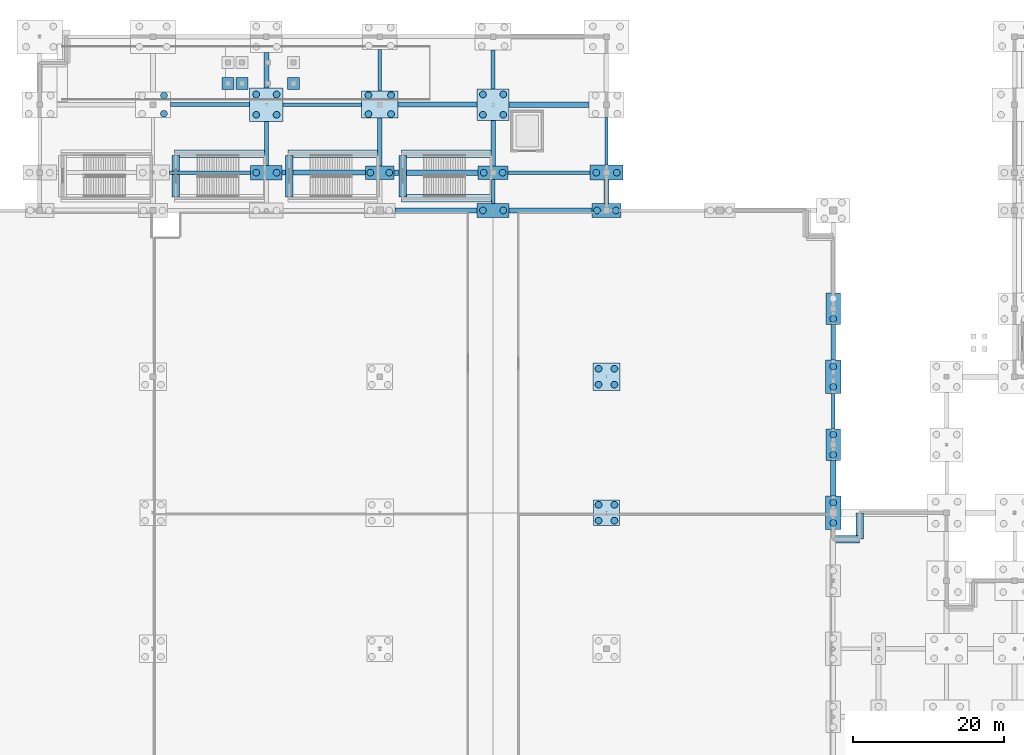
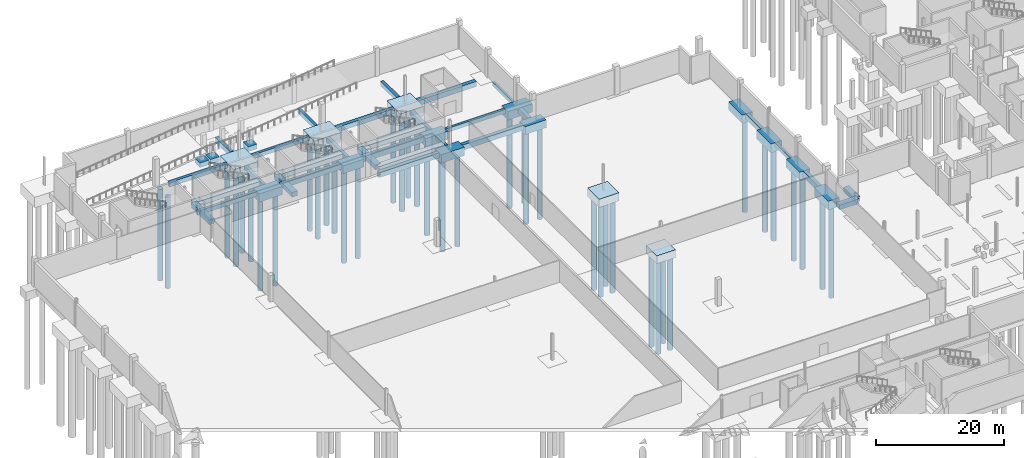
# One storey, part 4 of 58: 49 footings, 41 piles.
"""IFC4 building model written with IfcOpenShell, lengths in metres."""

from ifc_helpers import new_model, si_unit, direction, frame, origin, origin_2d, place, context, subcontext, project, spatial, rectangle, circle, extrude, material, material_profile, profile_set, type_object, element, save


model = new_model("IFC4")

# Units and contexts
model_context = context("Model", 3, precision=1e-05, world=origin(), true_north=direction((0.0, 1.0)))
body_context = subcontext(model_context, "Body", "Model", "MODEL_VIEW")
ifc_project = project(units=[si_unit("LENGTHUNIT", "METRE"), si_unit("AREAUNIT", "SQUARE_METRE"), si_unit("VOLUMEUNIT", "CUBIC_METRE"), si_unit("PLANEANGLEUNIT", "RADIAN"), si_unit("MASSUNIT", "GRAM", prefix="KILO")], contexts=[model_context])

# Site, building, storey
site_placement = place(None, origin())
site = spatial("IfcSite", under=ifc_project, at=site_placement, CompositionType="ELEMENT")
building_placement = place(site_placement, origin())
building = spatial("IfcBuilding", under=site, at=building_placement, Name="Qamarlyn Nura Convention Centre", CompositionType="ELEMENT")
storey_placement = place(building_placement, frame((0.0, 0.0, -5.39990234375)))
storey = spatial("IfcBuildingStorey", under=building, at=storey_placement, Name="B01", CompositionType="ELEMENT", Elevation=-5.39990234375)

# Footings
ifc_material = material(Name="Concrete C40/50", Category="concrete")
ifc_material_profile_1 = material_profile(ifc_material, rectangle(XDim=0.449951171875, YDim=0.75, at=origin_2d()), Name="RC GB 450x750")
ifc_profile_set_1 = profile_set([ifc_material_profile_1], Name="Concrete C40/50")
footing_type_1 = type_object("IfcFootingType", Name="GB-450X750", PredefinedType="FOOTING_BEAM", material=ifc_profile_set_1)
footing_1_placement = place(storey_placement, frame((77.0, 108.0, -0.375), z_axis=(1.0, 0.0, 0.0), x_axis=(0.0, 1.0, 0.0)))
element("IfcFooting", 1, at=footing_1_placement, inside=storey, type_object=footing_type_1, Name="Ground tie beam N 6-7", PredefinedType="FOOTING_BEAM", context=body_context, shape_type="SweptSolid", body=[
    extrude(rectangle(XDim=0.449951171875, YDim=0.75, at=origin_2d()), origin(), (0.0, 0.0, 1.0), 10.800048828125),
])
footing_2_placement = place(storey_placement, frame((75.0, 103.949951171875, -0.375), z_axis=(0.0, 1.0, 0.0), x_axis=(-1.0, 0.0, 0.0)))
element("IfcFooting", 2, at=footing_2_placement, inside=storey, type_object=footing_type_1, Name="Ground tie beam 6 M-N", PredefinedType="FOOTING_BEAM", context=body_context, shape_type="SweptSolid", body=[
    extrude(rectangle(XDim=0.449951171875, YDim=0.75, at=origin_2d()), origin(), (0.0, 0.0, 1.0), 3.150146484375),
])
footing_3_placement = place(storey_placement, frame((90.0, 109.0, -0.375), z_axis=(0.0, 1.0, 0.0), x_axis=(-1.0, 0.0, 0.0)))
element("IfcFooting", 3, at=footing_3_placement, inside=storey, type_object=footing_type_1, Name="Ground tie beam 7 N-P", PredefinedType="FOOTING_BEAM", context=body_context, shape_type="SweptSolid", body=[
    extrude(rectangle(XDim=0.449951171875, YDim=0.75, at=origin_2d()), origin(), (0.0, 0.0, 1.0), 6.300048828125),
])
footing_4_placement = place(storey_placement, frame((120.0, 74.10009765625, -0.375), z_axis=(0.0, 1.0, 0.0), x_axis=(-1.0, 0.0, 0.0)))
element("IfcFooting", 4, at=footing_4_placement, inside=storey, type_object=footing_type_1, Name="Ground tie beam 9 J-K", PredefinedType="FOOTING_BEAM", context=body_context, shape_type="SweptSolid", body=[
    extrude(rectangle(XDim=0.449951171875, YDim=0.75, at=origin_2d()), origin(), (0.0, 0.0, 1.0), 4.699951171875),
])
ifc_material_profile_2 = material_profile(ifc_material, rectangle(XDim=0.5, YDim=0.800048828125, at=origin_2d()), Name="RC GB 500x800")
ifc_profile_set_2 = profile_set([ifc_material_profile_2], Name="Concrete C40/50")
footing_type_2 = type_object("IfcFootingType", Name="GB-500X800", PredefinedType="FOOTING_BEAM", material=ifc_profile_set_2)
footing_5_placement = place(storey_placement, frame((32.199951171875, 108.0, -0.400146484375), z_axis=(1.0, 0.0, 0.0), x_axis=(0.0, 1.0, 0.0)))
element("IfcFooting", 5, at=footing_5_placement, inside=storey, type_object=footing_type_2, Name="Ground tie beam N 3-4", PredefinedType="FOOTING_BEAM", context=body_context, shape_type="SweptSolid", body=[
    extrude(rectangle(XDim=0.5, YDim=0.800048828125, at=origin_2d()), origin(), (0.0, 0.0, 1.0), 10.699951171875),
])
footing_6_placement = place(storey_placement, frame((47.199951171875, 117.0, -0.400146484375), z_axis=(1.0, 0.0, 0.0), x_axis=(0.0, 1.0, 0.0)))
element("IfcFooting", 6, at=footing_6_placement, inside=storey, type_object=footing_type_2, Name="Ground tie beam P 4-5", PredefinedType="FOOTING_BEAM", context=body_context, shape_type="SweptSolid", body=[
    extrude(rectangle(XDim=0.5, YDim=0.800048828125, at=origin_2d()), origin(), (0.0, 0.0, 1.0), 10.400146484375),
])
footing_7_placement = place(storey_placement, frame((45.0, 108.949951171875, -0.400146484375), z_axis=(0.0, 1.0, 0.0), x_axis=(-1.0, 0.0, 0.0)))
element("IfcFooting", 7, at=footing_7_placement, inside=storey, type_object=footing_type_2, Name="Ground tie beam 4 N-P", PredefinedType="FOOTING_BEAM", context=body_context, shape_type="SweptSolid", body=[
    extrude(rectangle(XDim=0.5, YDim=0.800048828125, at=origin_2d()), origin(), (0.0, 0.0, 1.0), 5.85009765625),
])
footing_8_placement = place(storey_placement, frame((60.0, 118.800048828125, -0.400146484375), z_axis=(0.0, 1.0, 0.0), x_axis=(-1.0, 0.0, 0.0)))
element("IfcFooting", 8, at=footing_8_placement, inside=storey, type_object=footing_type_2, Name="Ground tie beam 5 P-Q", PredefinedType="FOOTING_BEAM", context=body_context, shape_type="SweptSolid", body=[
    extrude(rectangle(XDim=0.5, YDim=0.800048828125, at=origin_2d()), origin(), (0.0, 0.0, 1.0), 5.5),
])
ifc_material_profile_3 = material_profile(ifc_material, rectangle(XDim=0.550048828125, YDim=0.85009765625, at=origin_2d()), Name="RC GB 550x850")
ifc_profile_set_3 = profile_set([ifc_material_profile_3], Name="Concrete C40/50")
footing_type_3 = type_object("IfcFootingType", Name="GB-550X850", PredefinedType="FOOTING_BEAM", material=ifc_profile_set_3)
footing_9_placement = place(storey_placement, frame((32.300048828125, 117.0, -0.425048828125), z_axis=(1.0, 0.0, 0.0), x_axis=(0.0, 1.0, 0.0)))
element("IfcFooting", 9, at=footing_9_placement, inside=storey, type_object=footing_type_3, Name="Ground tie beam P 3-4", PredefinedType="FOOTING_BEAM", context=body_context, shape_type="SweptSolid", body=[
    extrude(rectangle(XDim=0.550048828125, YDim=0.85009765625, at=origin_2d()), origin(), (0.0, 0.0, 1.0), 10.5),
])
footing_10_placement = place(storey_placement, frame((60.0, 108.89990234375, -0.425048828125), z_axis=(0.0, 1.0, 0.0), x_axis=(-1.0, 0.0, 0.0)))
element("IfcFooting", 10, at=footing_10_placement, inside=storey, type_object=footing_type_3, Name="Ground tie beam 5 N-P", PredefinedType="FOOTING_BEAM", context=body_context, shape_type="SweptSolid", body=[
    extrude(rectangle(XDim=0.550048828125, YDim=0.85009765625, at=origin_2d()), origin(), (0.0, 0.0, 1.0), 6.300048828125),
])
footing_11_placement = place(storey_placement, frame((75.0, 119.10009765625, -0.425048828125), z_axis=(0.0, 1.0, 0.0), x_axis=(-1.0, 0.0, 0.0)))
element("IfcFooting", 11, at=footing_11_placement, inside=storey, type_object=footing_type_3, Name="Ground tie beam 6 P-Q", PredefinedType="FOOTING_BEAM", context=body_context, shape_type="SweptSolid", body=[
    extrude(rectangle(XDim=0.550048828125, YDim=0.85009765625, at=origin_2d()), origin(), (0.0, 0.0, 1.0), 5.099853515625),
])
ifc_material_profile_4 = material_profile(ifc_material, rectangle(XDim=0.60009765625, YDim=0.89990234375, at=origin_2d()), Name="RC GB 600x900")
ifc_profile_set_4 = profile_set([ifc_material_profile_4], Name="Concrete C40/50")
footing_type_4 = type_object("IfcFootingType", Name="GB-600X900", PredefinedType="FOOTING_BEAM", material=ifc_profile_set_4)
footing_12_placement = place(storey_placement, frame((75.0, 108.89990234375, -0.4501953125), z_axis=(0.0, 1.0, 0.0), x_axis=(-1.0, 0.0, 0.0)))
element("IfcFooting", 12, at=footing_12_placement, inside=storey, type_object=footing_type_4, Name="Ground tie beam 6 N-P", PredefinedType="FOOTING_BEAM", context=body_context, shape_type="SweptSolid", body=[
    extrude(rectangle(XDim=0.60009765625, YDim=0.89990234375, at=origin_2d()), origin(), (0.0, 0.0, 1.0), 6.0),
])
footing_13_placement = place(storey_placement, frame((120.0, 83.199951171875, -0.4501953125), z_axis=(0.0, 1.0, 0.0), x_axis=(-1.0, 0.0, 0.0)))
element("IfcFooting", 13, at=footing_13_placement, inside=storey, type_object=footing_type_4, Name="Ground tie beam 9 K-L", PredefinedType="FOOTING_BEAM", context=body_context, shape_type="SweptSolid", body=[
    extrude(rectangle(XDim=0.60009765625, YDim=0.89990234375, at=origin_2d()), origin(), (0.0, 0.0, 1.0), 4.699951171875),
])
ifc_material_profile_5 = material_profile(ifc_material, rectangle(XDim=0.64990234375, YDim=0.949951171875, at=origin_2d()), Name="RC GB 650x950")
ifc_profile_set_5 = profile_set([ifc_material_profile_5], Name="Concrete C40/50")
footing_type_5 = type_object("IfcFootingType", Name="GB-650X950", PredefinedType="FOOTING_BEAM", material=ifc_profile_set_5)
footing_14_placement = place(storey_placement, frame((62.0, 103.0, -0.47509765625), z_axis=(1.0, 0.0, 0.0), x_axis=(0.0, 1.0, 0.0)))
element("IfcFooting", 14, at=footing_14_placement, inside=storey, type_object=footing_type_5, Name="Ground tie beam M 5-6", PredefinedType="FOOTING_BEAM", context=body_context, shape_type="SweptSolid", body=[
    extrude(rectangle(XDim=0.64990234375, YDim=0.949951171875, at=origin_2d()), origin(), (0.0, 0.0, 1.0), 10.89990234375),
])
footing_15_placement = place(storey_placement, frame((47.10009765625, 108.0, -0.47509765625), z_axis=(1.0, 0.0, 0.0), x_axis=(0.0, 1.0, 0.0)))
element("IfcFooting", 15, at=footing_15_placement, inside=storey, type_object=footing_type_5, Name="Ground tie beam N 4-5", PredefinedType="FOOTING_BEAM", context=body_context, shape_type="SweptSolid", body=[
    extrude(rectangle(XDim=0.64990234375, YDim=0.949951171875, at=origin_2d()), origin(), (0.0, 0.0, 1.0), 11.0),
])
footing_16_placement = place(storey_placement, frame((62.39990234375, 117.0, -0.47509765625), z_axis=(1.0, 0.0, 0.0), x_axis=(0.0, 1.0, 0.0)))
element("IfcFooting", 16, at=footing_16_placement, inside=storey, type_object=footing_type_5, Name="Ground tie beam P 5-6", PredefinedType="FOOTING_BEAM", context=body_context, shape_type="SweptSolid", body=[
    extrude(rectangle(XDim=0.64990234375, YDim=0.949951171875, at=origin_2d()), origin(), (0.0, 0.0, 1.0), 10.5),
])
footing_17_placement = place(storey_placement, frame((45.0, 119.199951171875, -0.47509765625), z_axis=(0.0, 1.0, 0.0), x_axis=(-1.0, 0.0, 0.0)))
element("IfcFooting", 17, at=footing_17_placement, inside=storey, type_object=footing_type_5, Name="Ground tie beam 4 P-Q", PredefinedType="FOOTING_BEAM", context=body_context, shape_type="SweptSolid", body=[
    extrude(rectangle(XDim=0.64990234375, YDim=0.949951171875, at=origin_2d()), origin(), (0.0, 0.0, 1.0), 4.699951171875),
])
ifc_material_profile_6 = material_profile(ifc_material, rectangle(XDim=0.699951171875, YDim=1.0, at=origin_2d()), Name="RC GB 700x1000")
ifc_profile_set_6 = profile_set([ifc_material_profile_6], Name="Concrete C40/50")
footing_type_6 = type_object("IfcFootingType", Name="GB-700X1000", PredefinedType="FOOTING_BEAM", material=ifc_profile_set_6)
footing_18_placement = place(storey_placement, frame((77.10009765625, 103.0, -0.5), z_axis=(1.0, 0.0, 0.0), x_axis=(0.0, 1.0, 0.0)))
element("IfcFooting", 18, at=footing_18_placement, inside=storey, type_object=footing_type_6, Name="Ground tie beam M 6-7", PredefinedType="FOOTING_BEAM", context=body_context, shape_type="SweptSolid", body=[
    extrude(rectangle(XDim=0.699951171875, YDim=1.0, at=origin_2d()), origin(), (0.0, 0.0, 1.0), 11.0),
])
footing_19_placement = place(storey_placement, frame((61.89990234375, 108.0, -0.5), z_axis=(1.0, 0.0, 0.0), x_axis=(0.0, 1.0, 0.0)))
element("IfcFooting", 19, at=footing_19_placement, inside=storey, type_object=footing_type_6, Name="Ground tie beam N 5-6", PredefinedType="FOOTING_BEAM", context=body_context, shape_type="SweptSolid", body=[
    extrude(rectangle(XDim=0.699951171875, YDim=1.0, at=origin_2d()), origin(), (0.0, 0.0, 1.0), 11.10009765625),
])
footing_20_placement = place(storey_placement, frame((77.10009765625, 117.0, -0.5), z_axis=(1.0, 0.0, 0.0), x_axis=(0.0, 1.0, 0.0)))
element("IfcFooting", 20, at=footing_20_placement, inside=storey, type_object=footing_type_6, Name="Ground tie beam P 6-7", PredefinedType="FOOTING_BEAM", context=body_context, shape_type="SweptSolid", body=[
    extrude(rectangle(XDim=0.699951171875, YDim=1.0, at=origin_2d()), origin(), (0.0, 0.0, 1.0), 10.599853515625),
])
footing_21_placement = place(storey_placement, frame((90.0, 103.89990234375, -0.5), z_axis=(0.0, 1.0, 0.0), x_axis=(-1.0, 0.0, 0.0)))
element("IfcFooting", 21, at=footing_21_placement, inside=storey, type_object=footing_type_6, Name="Ground tie beam 7 M-N", PredefinedType="FOOTING_BEAM", context=body_context, shape_type="SweptSolid", body=[
    extrude(rectangle(XDim=0.699951171875, YDim=1.0, at=origin_2d()), origin(), (0.0, 0.0, 1.0), 3.10009765625),
])
footing_22_placement = place(storey_placement, frame((120.0, 65.199951171875, -0.5), z_axis=(0.0, 1.0, 0.0), x_axis=(-1.0, 0.0, 0.0)))
element("IfcFooting", 22, at=footing_22_placement, inside=storey, type_object=footing_type_6, Name="Ground tie beam 9 H-J", PredefinedType="FOOTING_BEAM", context=body_context, shape_type="SweptSolid", body=[
    extrude(rectangle(XDim=0.699951171875, YDim=1.0, at=origin_2d()), origin(), (0.0, 0.0, 1.0), 4.699951171875),
])
footing_type_7 = type_object("IfcFootingType", Name="PC-PAIR-19X42", PredefinedType="PILE_CAP", material=ifc_material)
for number, where, z_axis, x_axis, name in (
    (23, (120.0, 72.0, -1.55029296875), (0.0, 0.0, 1.0), (1.0, 0.0, 0.0), "Pile cap CAP-9-J"),
    (24, (120.0, 90.0, -1.55029296875), (0.0, 0.0, 1.0), (1.0, 0.0, 0.0), "Pile cap CAP-9-L"),
):
    element("IfcFooting", number, at=place(storey_placement, frame(where, z_axis=z_axis, x_axis=x_axis)), inside=storey, type_object=footing_type_7, Name=name, PredefinedType="PILE_CAP", context=body_context, shape_type="SweptSolid", body=[
        extrude(rectangle(XDim=1.89990234375, YDim=4.199951171875, at=origin_2d()), origin(), (0.0, 0.0, 1.0), 1.550048828125),
    ])
footing_type_8 = type_object("IfcFootingType", Name="PC-PAIR-20X44", PredefinedType="PILE_CAP", material=ifc_material)
for number, where, z_axis, x_axis, name in (
    (25, (120.0, 63.0, -1.650146484375), (0.0, 0.0, 1.0), (1.0, 0.0, 0.0), "Pile cap CAP-9-H"),
    (26, (120.0, 81.0, -1.650146484375), (0.0, 0.0, 1.0), (1.0, 0.0, 0.0), "Pile cap CAP-9-K"),
):
    element("IfcFooting", number, at=place(storey_placement, frame(where, z_axis=z_axis, x_axis=x_axis)), inside=storey, type_object=footing_type_8, Name=name, PredefinedType="PILE_CAP", context=body_context, shape_type="SweptSolid", body=[
        extrude(rectangle(XDim=2.0, YDim=4.39990234375, at=origin_2d()), origin(), (0.0, 0.0, 1.0), 1.64990234375),
    ])
footing_type_9 = type_object("IfcFootingType", Name="PC-PAIR-38X18", PredefinedType="PILE_CAP", material=ifc_material)
for number, where, z_axis, x_axis, name in (
    (27, (60.0, 108.0, -1.5), (0.0, 0.0, 1.0), (1.0, 0.0, 0.0), "Pile cap CAP-5-N"),
    (28, (90.0, 103.0, -1.5), (0.0, 0.0, 1.0), (1.0, 0.0, 0.0), "Pile cap CAP-7-M"),
):
    element("IfcFooting", number, at=place(storey_placement, frame(where, z_axis=z_axis, x_axis=x_axis)), inside=storey, type_object=footing_type_9, Name=name, PredefinedType="PILE_CAP", context=body_context, shape_type="SweptSolid", body=[
        extrude(rectangle(XDim=3.800048828125, YDim=1.800048828125, at=origin_2d()), origin(), (0.0, 0.0, 1.0), 1.5),
    ])
footing_type_10 = type_object("IfcFootingType", Name="PC-PAIR-40X18", PredefinedType="PILE_CAP", material=ifc_material)
footing_23_placement = place(storey_placement, frame((75.0, 108.0, -1.55029296875), z_axis=(0.0, 0.0, 1.0), x_axis=(1.0, 0.0, 0.0)))
element("IfcFooting", 29, at=footing_23_placement, inside=storey, type_object=footing_type_10, Name="Pile cap CAP-6-N", PredefinedType="PILE_CAP", context=body_context, shape_type="SweptSolid", body=[
    extrude(rectangle(XDim=4.0, YDim=1.800048828125, at=origin_2d()), origin(), (0.0, 0.0, 1.0), 1.550048828125),
])
footing_type_11 = type_object("IfcFootingType", Name="PC-PAIR-42X19", PredefinedType="PILE_CAP", material=ifc_material)
for number, where, z_axis, x_axis, name in (
    (30, (45.0, 108.0, -1.60009765625), (0.0, 0.0, 1.0), (1.0, 0.0, 0.0), "Pile cap CAP-4-N"),
    (31, (75.0, 103.0, -1.60009765625), (0.0, 0.0, 1.0), (1.0, 0.0, 0.0), "Pile cap CAP-6-M"),
):
    element("IfcFooting", number, at=place(storey_placement, frame(where, z_axis=z_axis, x_axis=x_axis)), inside=storey, type_object=footing_type_11, Name=name, PredefinedType="PILE_CAP", context=body_context, shape_type="SweptSolid", body=[
        extrude(rectangle(XDim=4.199951171875, YDim=1.89990234375, at=origin_2d()), origin(), (0.0, 0.0, 1.0), 1.60009765625),
    ])
footing_type_12 = type_object("IfcFootingType", Name="PC-PAIR-44X20", PredefinedType="PILE_CAP", material=ifc_material)
footing_24_placement = place(storey_placement, frame((90.0, 108.0, -1.60009765625), z_axis=(0.0, 0.0, 1.0), x_axis=(1.0, 0.0, 0.0)))
element("IfcFooting", 32, at=footing_24_placement, inside=storey, type_object=footing_type_12, Name="Pile cap CAP-7-N", PredefinedType="PILE_CAP", context=body_context, shape_type="SweptSolid", body=[
    extrude(rectangle(XDim=4.39990234375, YDim=2.0, at=origin_2d()), origin(), (0.0, 0.0, 1.0), 1.60009765625),
])
footing_type_13 = type_object("IfcFootingType", Name="PC-RECT-48X36", PredefinedType="PILE_CAP", material=ifc_material)
footing_25_placement = place(storey_placement, frame((60.0, 117.0, -1.80029296875), z_axis=(0.0, 0.0, 1.0), x_axis=(1.0, 0.0, 0.0)))
element("IfcFooting", 33, at=footing_25_placement, inside=storey, type_object=footing_type_13, Name="Pile cap CAP-5-P", PredefinedType="PILE_CAP", context=body_context, shape_type="SweptSolid", body=[
    extrude(rectangle(XDim=4.800048828125, YDim=3.60009765625, at=origin_2d()), origin(), (0.0, 0.0, 1.0), 1.800048828125),
])
footing_type_14 = type_object("IfcFootingType", Name="PC-SUB-34X34", PredefinedType="PILE_CAP", material=ifc_material)
footing_26_placement = place(storey_placement, frame((90.0, 63.0, -1.5), z_axis=(0.0, 0.0, 1.0), x_axis=(1.0, 0.0, 0.0)))
element("IfcFooting", 34, at=footing_26_placement, inside=storey, type_object=footing_type_14, Name="Pile cap CAP-7-H", PredefinedType="PILE_CAP", context=body_context, shape_type="SweptSolid", body=[
    extrude(rectangle(XDim=3.39990234375, YDim=3.39990234375, at=origin_2d()), origin(), (0.0, 0.0, 1.0), 1.5),
])
footing_type_15 = type_object("IfcFootingType", Name="PC-SUB-36X36", PredefinedType="PILE_CAP", material=ifc_material)
footing_27_placement = place(storey_placement, frame((90.0, 81.0, -1.55029296875), z_axis=(0.0, 0.0, 1.0), x_axis=(1.0, 0.0, 0.0)))
element("IfcFooting", 35, at=footing_27_placement, inside=storey, type_object=footing_type_15, Name="Pile cap CAP-7-K", PredefinedType="PILE_CAP", context=body_context, shape_type="SweptSolid", body=[
    extrude(rectangle(XDim=3.60009765625, YDim=3.60009765625, at=origin_2d()), origin(), (0.0, 0.0, 1.0), 1.550048828125),
])
footing_type_16 = type_object("IfcFootingType", Name="PC-WING-42", PredefinedType="PILE_CAP", material=ifc_material)
footing_28_placement = place(storey_placement, frame((75.0, 117.0, -1.75), z_axis=(0.0, 0.0, 1.0), x_axis=(1.0, 0.0, 0.0)))
element("IfcFooting", 36, at=footing_28_placement, inside=storey, type_object=footing_type_16, Name="Pile cap CAP-6-P", PredefinedType="PILE_CAP", context=body_context, shape_type="SweptSolid", body=[
    extrude(rectangle(XDim=4.199951171875, YDim=4.199951171875, at=origin_2d()), origin(), (0.0, 0.0, 1.0), 1.75),
])
footing_type_17 = type_object("IfcFootingType", Name="PC-WING-44", PredefinedType="PILE_CAP", material=ifc_material)
footing_29_placement = place(storey_placement, frame((45.0, 117.0, -1.80029296875), z_axis=(0.0, 0.0, 1.0), x_axis=(1.0, 0.0, 0.0)))
element("IfcFooting", 37, at=footing_29_placement, inside=storey, type_object=footing_type_17, Name="Pile cap CAP-4-P", PredefinedType="PILE_CAP", context=body_context, shape_type="SweptSolid", body=[
    extrude(rectangle(XDim=4.39990234375, YDim=4.39990234375, at=origin_2d()), origin(), (0.0, 0.0, 1.0), 1.800048828125),
])
footing_type_18 = type_object("IfcFootingType", Name="PF-MID-160", PredefinedType="PAD_FOOTING", material=ifc_material)
for number, where, z_axis, x_axis, name in (
    (38, (39.89990234375, 119.800048828125, -0.900146484375), (0.0, 0.0, 1.0), (1.0, 0.0, 0.0), "Ramp support pad footing 1"),
    (39, (41.800048828125, 119.800048828125, -0.900146484375), (0.0, 0.0, 1.0), (1.0, 0.0, 0.0), "Ramp support pad footing 2"),
    (40, (48.60009765625, 119.800048828125, -0.900146484375), (0.0, 0.0, 1.0), (1.0, 0.0, 0.0), "Ramp support pad footing 5"),
):
    element("IfcFooting", number, at=place(storey_placement, frame(where, z_axis=z_axis, x_axis=x_axis)), inside=storey, type_object=footing_type_18, Name=name, PredefinedType="PAD_FOOTING", context=body_context, shape_type="SweptSolid", body=[
        extrude(rectangle(XDim=1.60009765625, YDim=1.60009765625, at=origin_2d()), origin(), (0.0, 0.0, 1.0), 0.89990234375),
    ])

# Piles
ifc_material_profile_7 = material_profile(ifc_material, circle(Radius=0.449951171875, at=origin_2d()), Name="BORED PILE 900")
ifc_profile_set_7 = profile_set([ifc_material_profile_7], Name="Concrete C40/50")
pile_type = type_object("IfcPileType", Name="PILE-900", PredefinedType="BORED", material=ifc_profile_set_7)
for number, where, z_axis, x_axis, name in (
    (41, (31.449951171875, 115.800048828125, -1.60009765625), (0.0, 0.0, -1.0), (1.0, 0.0, 0.0), "Bored pile PILE-3-P-2"),
    (42, (31.449951171875, 118.199951171875, -1.60009765625), (0.0, 0.0, -1.0), (1.0, 0.0, 0.0), "Bored pile PILE-3-P-4"),
):
    element("IfcPile", number, at=place(storey_placement, frame(where, z_axis=z_axis, x_axis=x_axis)), inside=storey, type_object=pile_type, Name=name, PredefinedType="BORED", context=body_context, shape_type="SweptSolid", body=[
        extrude(circle(Radius=0.449951171875, at=origin_2d()), origin(), (0.0, 0.0, 1.0), 17.5),
    ])
for number, where, z_axis, x_axis, name in (
    (43, (43.64990234375, 108.0, -1.4501953125), (0.0, 0.0, -1.0), (1.0, 0.0, 0.0), "Bored pile PILE-4-N-1"),
    (44, (46.35009765625, 108.0, -1.4501953125), (0.0, 0.0, -1.0), (1.0, 0.0, 0.0), "Bored pile PILE-4-N-2"),
):
    element("IfcPile", number, at=place(storey_placement, frame(where, z_axis=z_axis, x_axis=x_axis)), inside=storey, type_object=pile_type, Name=name, PredefinedType="BORED", context=body_context, shape_type="SweptSolid", body=[
        extrude(circle(Radius=0.449951171875, at=origin_2d()), origin(), (0.0, 0.0, 1.0), 17.64990234375),
    ])
for number, where, z_axis, x_axis, name in (
    (45, (43.64990234375, 115.64990234375, -1.650146484375), (0.0, 0.0, -1.0), (1.0, 0.0, 0.0), "Bored pile PILE-4-P-1"),
    (46, (46.35009765625, 115.64990234375, -1.650146484375), (0.0, 0.0, -1.0), (1.0, 0.0, 0.0), "Bored pile PILE-4-P-2"),
    (47, (43.64990234375, 118.35009765625, -1.650146484375), (0.0, 0.0, -1.0), (1.0, 0.0, 0.0), "Bored pile PILE-4-P-3"),
    (48, (46.35009765625, 118.35009765625, -1.650146484375), (0.0, 0.0, -1.0), (1.0, 0.0, 0.0), "Bored pile PILE-4-P-4"),
):
    element("IfcPile", number, at=place(storey_placement, frame(where, z_axis=z_axis, x_axis=x_axis)), inside=storey, type_object=pile_type, Name=name, PredefinedType="BORED", context=body_context, shape_type="SweptSolid", body=[
        extrude(circle(Radius=0.449951171875, at=origin_2d()), origin(), (0.0, 0.0, 1.0), 17.449951171875),
    ])
for number, where, z_axis, x_axis, name in (
    (49, (58.75, 108.0, -1.35009765625), (0.0, 0.0, -1.0), (1.0, 0.0, 0.0), "Bored pile PILE-5-N-1"),
    (50, (61.25, 108.0, -1.35009765625), (0.0, 0.0, -1.0), (1.0, 0.0, 0.0), "Bored pile PILE-5-N-2"),
):
    element("IfcPile", number, at=place(storey_placement, frame(where, z_axis=z_axis, x_axis=x_axis)), inside=storey, type_object=pile_type, Name=name, PredefinedType="BORED", context=body_context, shape_type="SweptSolid", body=[
        extrude(circle(Radius=0.449951171875, at=origin_2d()), origin(), (0.0, 0.0, 1.0), 17.75),
    ])
for number, where, z_axis, x_axis, name in (
    (51, (58.5, 115.75, -1.650146484375), (0.0, 0.0, -1.0), (1.0, 0.0, 0.0), "Bored pile PILE-5-P-1"),
    (52, (61.5, 115.75, -1.650146484375), (0.0, 0.0, -1.0), (1.0, 0.0, 0.0), "Bored pile PILE-5-P-2"),
    (53, (58.5, 118.25, -1.650146484375), (0.0, 0.0, -1.0), (1.0, 0.0, 0.0), "Bored pile PILE-5-P-3"),
    (54, (61.5, 118.25, -1.650146484375), (0.0, 0.0, -1.0), (1.0, 0.0, 0.0), "Bored pile PILE-5-P-4"),
):
    element("IfcPile", number, at=place(storey_placement, frame(where, z_axis=z_axis, x_axis=x_axis)), inside=storey, type_object=pile_type, Name=name, PredefinedType="BORED", context=body_context, shape_type="SweptSolid", body=[
        extrude(circle(Radius=0.449951171875, at=origin_2d()), origin(), (0.0, 0.0, 1.0), 17.449951171875),
    ])
for number, where, z_axis, x_axis, name in (
    (55, (73.64990234375, 103.0, -1.4501953125), (0.0, 0.0, -1.0), (1.0, 0.0, 0.0), "Bored pile PILE-6-M-1"),
    (56, (76.35009765625, 103.0, -1.4501953125), (0.0, 0.0, -1.0), (1.0, 0.0, 0.0), "Bored pile PILE-6-M-2"),
):
    element("IfcPile", number, at=place(storey_placement, frame(where, z_axis=z_axis, x_axis=x_axis)), inside=storey, type_object=pile_type, Name=name, PredefinedType="BORED", context=body_context, shape_type="SweptSolid", body=[
        extrude(circle(Radius=0.449951171875, at=origin_2d()), origin(), (0.0, 0.0, 1.0), 17.64990234375),
    ])
for number, where, z_axis, x_axis, name in (
    (57, (73.75, 108.0, -1.400146484375), (0.0, 0.0, -1.0), (1.0, 0.0, 0.0), "Bored pile PILE-6-N-1"),
    (58, (76.25, 108.0, -1.400146484375), (0.0, 0.0, -1.0), (1.0, 0.0, 0.0), "Bored pile PILE-6-N-2"),
):
    element("IfcPile", number, at=place(storey_placement, frame(where, z_axis=z_axis, x_axis=x_axis)), inside=storey, type_object=pile_type, Name=name, PredefinedType="BORED", context=body_context, shape_type="SweptSolid", body=[
        extrude(circle(Radius=0.449951171875, at=origin_2d()), origin(), (0.0, 0.0, 1.0), 17.699951171875),
    ])
for number, where, z_axis, x_axis, name in (
    (59, (73.64990234375, 115.64990234375, -1.60009765625), (0.0, 0.0, -1.0), (1.0, 0.0, 0.0), "Bored pile PILE-6-P-1"),
    (60, (76.35009765625, 115.64990234375, -1.60009765625), (0.0, 0.0, -1.0), (1.0, 0.0, 0.0), "Bored pile PILE-6-P-2"),
    (61, (73.64990234375, 118.35009765625, -1.60009765625), (0.0, 0.0, -1.0), (1.0, 0.0, 0.0), "Bored pile PILE-6-P-3"),
    (62, (76.35009765625, 118.35009765625, -1.60009765625), (0.0, 0.0, -1.0), (1.0, 0.0, 0.0), "Bored pile PILE-6-P-4"),
):
    element("IfcPile", number, at=place(storey_placement, frame(where, z_axis=z_axis, x_axis=x_axis)), inside=storey, type_object=pile_type, Name=name, PredefinedType="BORED", context=body_context, shape_type="SweptSolid", body=[
        extrude(circle(Radius=0.449951171875, at=origin_2d()), origin(), (0.0, 0.0, 1.0), 17.5),
    ])
for number, where, z_axis, x_axis, name in (
    (63, (88.949951171875, 61.949951171875, -1.35009765625), (0.0, 0.0, -1.0), (1.0, 0.0, 0.0), "Bored pile PILE-7-H-1"),
    (64, (91.050048828125, 61.949951171875, -1.35009765625), (0.0, 0.0, -1.0), (1.0, 0.0, 0.0), "Bored pile PILE-7-H-2"),
    (65, (88.949951171875, 64.050048828125, -1.35009765625), (0.0, 0.0, -1.0), (1.0, 0.0, 0.0), "Bored pile PILE-7-H-3"),
    (66, (91.050048828125, 64.050048828125, -1.35009765625), (0.0, 0.0, -1.0), (1.0, 0.0, 0.0), "Bored pile PILE-7-H-4"),
):
    element("IfcPile", number, at=place(storey_placement, frame(where, z_axis=z_axis, x_axis=x_axis)), inside=storey, type_object=pile_type, Name=name, PredefinedType="BORED", context=body_context, shape_type="SweptSolid", body=[
        extrude(circle(Radius=0.449951171875, at=origin_2d()), origin(), (0.0, 0.0, 1.0), 17.75),
    ])
for number, where, z_axis, x_axis, name in (
    (67, (88.949951171875, 79.949951171875, -1.400146484375), (0.0, 0.0, -1.0), (1.0, 0.0, 0.0), "Bored pile PILE-7-K-1"),
    (68, (91.050048828125, 79.949951171875, -1.400146484375), (0.0, 0.0, -1.0), (1.0, 0.0, 0.0), "Bored pile PILE-7-K-2"),
    (69, (88.949951171875, 82.050048828125, -1.400146484375), (0.0, 0.0, -1.0), (1.0, 0.0, 0.0), "Bored pile PILE-7-K-3"),
    (70, (91.050048828125, 82.050048828125, -1.400146484375), (0.0, 0.0, -1.0), (1.0, 0.0, 0.0), "Bored pile PILE-7-K-4"),
):
    element("IfcPile", number, at=place(storey_placement, frame(where, z_axis=z_axis, x_axis=x_axis)), inside=storey, type_object=pile_type, Name=name, PredefinedType="BORED", context=body_context, shape_type="SweptSolid", body=[
        extrude(circle(Radius=0.449951171875, at=origin_2d()), origin(), (0.0, 0.0, 1.0), 17.699951171875),
    ])
for number, where, z_axis, x_axis, name in (
    (71, (88.75, 103.0, -1.35009765625), (0.0, 0.0, -1.0), (1.0, 0.0, 0.0), "Bored pile PILE-7-M-1"),
    (72, (91.25, 103.0, -1.35009765625), (0.0, 0.0, -1.0), (1.0, 0.0, 0.0), "Bored pile PILE-7-M-2"),
):
    element("IfcPile", number, at=place(storey_placement, frame(where, z_axis=z_axis, x_axis=x_axis)), inside=storey, type_object=pile_type, Name=name, PredefinedType="BORED", context=body_context, shape_type="SweptSolid", body=[
        extrude(circle(Radius=0.449951171875, at=origin_2d()), origin(), (0.0, 0.0, 1.0), 17.75),
    ])
for number, where, z_axis, x_axis, name in (
    (73, (88.64990234375, 108.0, -1.4501953125), (0.0, 0.0, -1.0), (1.0, 0.0, 0.0), "Bored pile PILE-7-N-1"),
    (74, (91.35009765625, 108.0, -1.4501953125), (0.0, 0.0, -1.0), (1.0, 0.0, 0.0), "Bored pile PILE-7-N-2"),
):
    element("IfcPile", number, at=place(storey_placement, frame(where, z_axis=z_axis, x_axis=x_axis)), inside=storey, type_object=pile_type, Name=name, PredefinedType="BORED", context=body_context, shape_type="SweptSolid", body=[
        extrude(circle(Radius=0.449951171875, at=origin_2d()), origin(), (0.0, 0.0, 1.0), 17.64990234375),
    ])
for number, where, z_axis, x_axis, name in (
    (75, (120.0, 61.64990234375, -1.5), (0.0, 0.0, -1.0), (1.0, 0.0, 0.0), "Bored pile PILE-9-H-1"),
    (76, (120.0, 64.35009765625, -1.5), (0.0, 0.0, -1.0), (1.0, 0.0, 0.0), "Bored pile PILE-9-H-2"),
):
    element("IfcPile", number, at=place(storey_placement, frame(where, z_axis=z_axis, x_axis=x_axis)), inside=storey, type_object=pile_type, Name=name, PredefinedType="BORED", context=body_context, shape_type="SweptSolid", body=[
        extrude(circle(Radius=0.449951171875, at=origin_2d()), origin(), (0.0, 0.0, 1.0), 17.60009765625),
    ])
for number, where, z_axis, x_axis, name in (
    (77, (120.0, 70.64990234375, -1.400146484375), (0.0, 0.0, -1.0), (1.0, 0.0, 0.0), "Bored pile PILE-9-J-1"),
    (78, (120.0, 73.35009765625, -1.400146484375), (0.0, 0.0, -1.0), (1.0, 0.0, 0.0), "Bored pile PILE-9-J-2"),
):
    element("IfcPile", number, at=place(storey_placement, frame(where, z_axis=z_axis, x_axis=x_axis)), inside=storey, type_object=pile_type, Name=name, PredefinedType="BORED", context=body_context, shape_type="SweptSolid", body=[
        extrude(circle(Radius=0.449951171875, at=origin_2d()), origin(), (0.0, 0.0, 1.0), 17.699951171875),
    ])
for number, where, z_axis, x_axis, name in (
    (79, (120.0, 79.64990234375, -1.5), (0.0, 0.0, -1.0), (1.0, 0.0, 0.0), "Bored pile PILE-9-K-1"),
    (80, (120.0, 82.35009765625, -1.5), (0.0, 0.0, -1.0), (1.0, 0.0, 0.0), "Bored pile PILE-9-K-2"),
):
    element("IfcPile", number, at=place(storey_placement, frame(where, z_axis=z_axis, x_axis=x_axis)), inside=storey, type_object=pile_type, Name=name, PredefinedType="BORED", context=body_context, shape_type="SweptSolid", body=[
        extrude(circle(Radius=0.449951171875, at=origin_2d()), origin(), (0.0, 0.0, 1.0), 17.60009765625),
    ])
pile_placement = place(storey_placement, frame((120.0, 88.64990234375, -1.400146484375), z_axis=(0.0, 0.0, -1.0), x_axis=(1.0, 0.0, 0.0)))
element("IfcPile", 81, at=pile_placement, inside=storey, type_object=pile_type, Name="Bored pile PILE-9-L-1", PredefinedType="BORED", context=body_context, shape_type="SweptSolid", body=[
    extrude(circle(Radius=0.449951171875, at=origin_2d()), origin(), (0.0, 0.0, 1.0), 17.699951171875),
])

# Footings
ifc_material_profile_8 = material_profile(ifc_material, rectangle(XDim=1.0, YDim=0.89990234375, at=origin_2d()), Name="RC STRIP 1000x900")
ifc_profile_set_8 = profile_set([ifc_material_profile_8], Name="Concrete C40/50")
footing_type_19 = type_object("IfcFootingType", Name="SF-WALL-1000", PredefinedType="STRIP_FOOTING", material=ifc_profile_set_8)
for number, where, z_axis, x_axis, name in (
    (82, (120.0, 59.5, -0.4501953125), (1.0, 0.0, 0.0), (0.0, 1.0, 0.0), "Strip footing WRET-B01-35-1"),
    (83, (123.5, 59.5, -0.4501953125), (0.0, 1.0, 0.0), (-1.0, 0.0, 0.0), "Strip footing WRET-B01-36-1"),
):
    element("IfcFooting", number, at=place(storey_placement, frame(where, z_axis=z_axis, x_axis=x_axis)), inside=storey, type_object=footing_type_19, Name=name, PredefinedType="STRIP_FOOTING", context=body_context, shape_type="SweptSolid", body=[
        extrude(rectangle(XDim=1.0, YDim=0.89990234375, at=origin_2d()), origin(), (0.0, 0.0, 1.0), 3.5),
    ])
footing_30_placement = place(storey_placement, frame((44.949951171875, 110.47509765625, -0.4501953125), z_axis=(-1.0, 0.0, 0.0), x_axis=(0.0, -1.0, 0.0)))
element("IfcFooting", 84, at=footing_30_placement, inside=storey, type_object=footing_type_19, Name="Strip footing WST-ST-02-B01-N-1", PredefinedType="STRIP_FOOTING", context=body_context, shape_type="SweptSolid", body=[
    extrude(rectangle(XDim=1.0, YDim=0.89990234375, at=origin_2d()), origin(), (0.0, 0.0, 1.0), 12.099853515625),
])
footing_31_placement = place(storey_placement, frame((33.02490234375, 110.300048828125, -0.4501953125), z_axis=(0.0, -1.0, 0.0), x_axis=(1.0, 0.0, 0.0)))
element("IfcFooting", 85, at=footing_31_placement, inside=storey, type_object=footing_type_19, Name="Strip footing WST-ST-02-B01-W-1", PredefinedType="STRIP_FOOTING", context=body_context, shape_type="SweptSolid", body=[
    extrude(rectangle(XDim=1.0, YDim=0.89990234375, at=origin_2d()), origin(), (0.0, 0.0, 1.0), 5.5),
])
footing_32_placement = place(storey_placement, frame((59.949951171875, 110.47509765625, -0.4501953125), z_axis=(-1.0, 0.0, 0.0), x_axis=(0.0, -1.0, 0.0)))
element("IfcFooting", 86, at=footing_32_placement, inside=storey, type_object=footing_type_19, Name="Strip footing WST-ST-03-B01-N-1", PredefinedType="STRIP_FOOTING", context=body_context, shape_type="SweptSolid", body=[
    extrude(rectangle(XDim=1.0, YDim=0.89990234375, at=origin_2d()), origin(), (0.0, 0.0, 1.0), 12.099853515625),
])
footing_33_placement = place(storey_placement, frame((48.02490234375, 110.300048828125, -0.4501953125), z_axis=(0.0, -1.0, 0.0), x_axis=(1.0, 0.0, 0.0)))
element("IfcFooting", 87, at=footing_33_placement, inside=storey, type_object=footing_type_19, Name="Strip footing WST-ST-03-B01-W-1", PredefinedType="STRIP_FOOTING", context=body_context, shape_type="SweptSolid", body=[
    extrude(rectangle(XDim=1.0, YDim=0.89990234375, at=origin_2d()), origin(), (0.0, 0.0, 1.0), 5.5),
])
for number, where, z_axis, x_axis, name in (
    (88, (62.85009765625, 104.625, -0.4501953125), (1.0, 0.0, 0.0), (0.0, 1.0, 0.0), "Strip footing WST-ST-04-B01-S-1"),
    (89, (74.949951171875, 110.47509765625, -0.4501953125), (-1.0, 0.0, 0.0), (0.0, -1.0, 0.0), "Strip footing WST-ST-04-B01-N-1"),
):
    element("IfcFooting", number, at=place(storey_placement, frame(where, z_axis=z_axis, x_axis=x_axis)), inside=storey, type_object=footing_type_19, Name=name, PredefinedType="STRIP_FOOTING", context=body_context, shape_type="SweptSolid", body=[
        extrude(rectangle(XDim=1.0, YDim=0.89990234375, at=origin_2d()), origin(), (0.0, 0.0, 1.0), 12.099853515625),
    ])
footing_34_placement = place(storey_placement, frame((63.02490234375, 110.300048828125, -0.4501953125), z_axis=(0.0, -1.0, 0.0), x_axis=(1.0, 0.0, 0.0)))
element("IfcFooting", 90, at=footing_34_placement, inside=storey, type_object=footing_type_19, Name="Strip footing WST-ST-04-B01-W-1", PredefinedType="STRIP_FOOTING", context=body_context, shape_type="SweptSolid", body=[
    extrude(rectangle(XDim=1.0, YDim=0.89990234375, at=origin_2d()), origin(), (0.0, 0.0, 1.0), 5.5),
])

save(model, "model.ifc")
